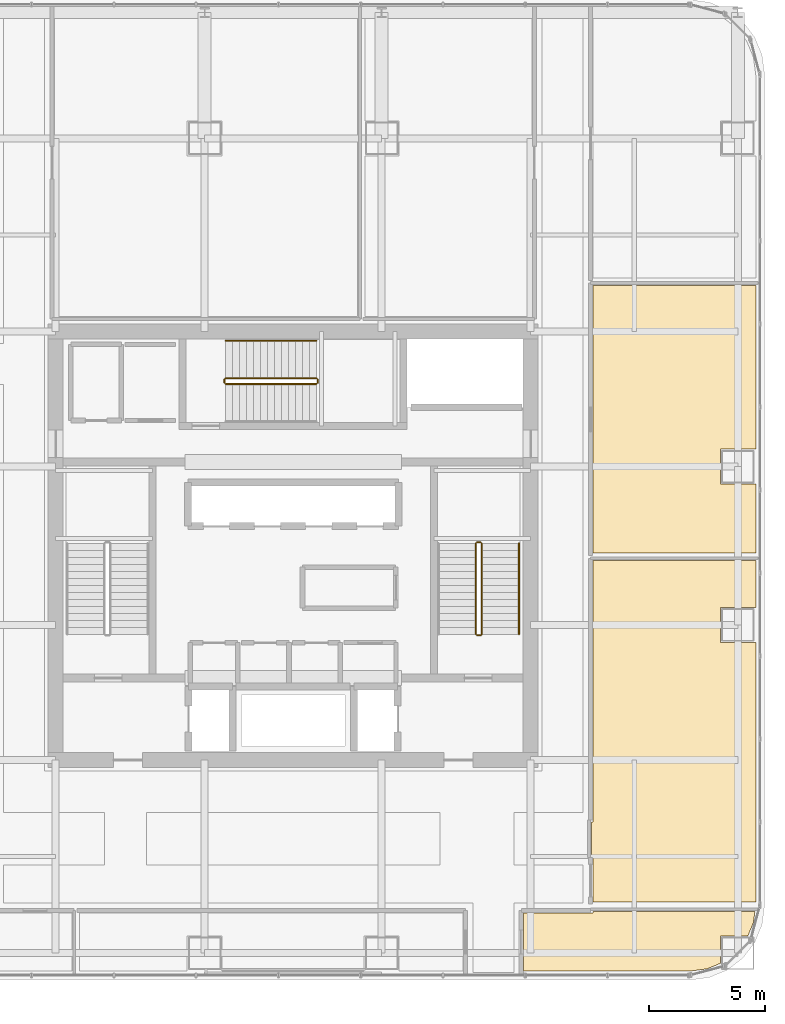
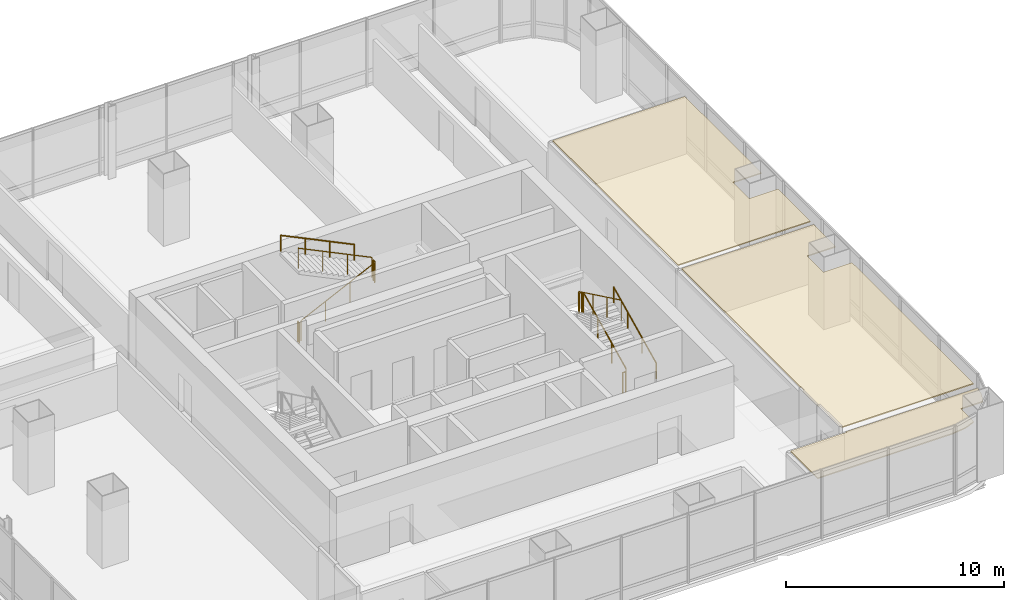
# One storey, part 37 of 38: 10 railings, 3 coverings.
"""IFC4 building model written with IfcOpenShell, lengths in metres."""

from ifc_helpers import new_model, si_unit, direction, frame, origin, origin_2d, place, context, subcontext, project, spatial, polyline, circle, outline, extrude, material, layer, layer_set, type_object, element, save


model = new_model("IFC4")

# Units and contexts
model_context = context("Model", 3, precision=1e-05, world=origin(), true_north=direction((0.0, 1.0)))
body_context = subcontext(model_context, "Body", "Model", "MODEL_VIEW")
ifc_project = project(units=[si_unit("LENGTHUNIT", "METRE"), si_unit("AREAUNIT", "SQUARE_METRE"), si_unit("VOLUMEUNIT", "CUBIC_METRE"), si_unit("PLANEANGLEUNIT", "RADIAN"), si_unit("MASSUNIT", "GRAM", prefix="KILO")], contexts=[model_context])

# Site, building, storey
site_placement = place(None, origin())
site = spatial("IfcSite", under=ifc_project, at=site_placement, CompositionType="ELEMENT")
building_placement = place(site_placement, origin())
building = spatial("IfcBuilding", under=site, at=building_placement, Name="Punatoya Terracotta Tower", CompositionType="ELEMENT")
storey_placement = place(building_placement, frame((0.0, 0.0, 160.050048828125)))
storey = spatial("IfcBuildingStorey", under=building, at=storey_placement, Name="L37", CompositionType="ELEMENT", Elevation=160.050048828125)

# Coverings
ifc_material_1 = material(Name="Acoustic Mineral Fibre Ceiling")
ifc_layer = layer(ifc_material_1, 0.06005859375)
ifc_layer_set = layer_set([ifc_layer], Name="Acoustic Mineral Fibre Ceiling")
covering_type = type_object("IfcCoveringType", Name="COV-CEIL-60", PredefinedType="CEILING", material=ifc_layer_set)
covering_1_placement = place(storey_placement, frame((0.0, 0.0, 3.219970703125)))
element("IfcCovering", 1, at=covering_1_placement, inside=storey, type_object=covering_type, Name="L37 Open-Plan Collaborative Workshop Room Acoustic Ceiling", PredefinedType="CEILING", context=body_context, shape_type="SweptSolid", body=[
    extrude(outline(polyline([(12.8701171875, -15.77001953125), (9.89990234375, -15.77001953125), (9.89990234375, -18.27001953125), (17.025146484375, -18.27001953125), (17.779052734375, -18.1708984375), (18.35009765625, -17.934326171875), (18.35009765625, -16.75), (19.5341796875, -16.75), (19.770751953125, -16.178955078125), (19.83251953125, -15.7099609375), (12.8701171875, -15.7099609375), (12.8701171875, -15.77001953125)])), origin(), (0.0, 0.0, 1.0), 0.06005859375),
])
covering_2_placement = place(storey_placement, frame((0.0, 0.0, 3.219970703125)))
element("IfcCovering", 2, at=covering_2_placement, inside=storey, type_object=covering_type, Name="L37 Open-Plan Executive Briefing Room Acoustic Ceiling", PredefinedType="CEILING", context=body_context, shape_type="SweptSolid", body=[
    extrude(outline(polyline([(12.81005859375, -13.280029296875), (12.8701171875, -13.280029296875), (12.8701171875, -15.2900390625), (19.8701171875, -15.2900390625), (19.8701171875, -4.14990234375), (18.35009765625, -4.14990234375), (18.35009765625, -2.64990234375), (19.8701171875, -2.64990234375), (19.8701171875, -0.637939453125), (12.8701171875, -0.637939453125), (12.8701171875, -11.8701171875), (12.81005859375, -11.8701171875), (12.81005859375, -13.280029296875)])), origin(), (0.0, 0.0, 1.0), 0.06005859375),
])
covering_3_placement = place(storey_placement, frame((0.0, 0.0, 3.219970703125)))
element("IfcCovering", 3, at=covering_3_placement, inside=storey, type_object=covering_type, Name="L37 Open-Plan Delegate Reception Lounge Acoustic Ceiling", PredefinedType="CEILING", context=body_context, shape_type="SweptSolid", body=[
    extrude(outline(polyline([(18.35009765625, 4.14990234375), (19.8701171875, 4.14990234375), (19.8701171875, 11.181884765625), (12.8701171875, 11.181884765625), (12.8701171875, -0.318115234375), (19.8701171875, -0.318115234375), (19.8701171875, 2.64990234375), (18.35009765625, 2.64990234375), (18.35009765625, 4.14990234375)])), origin(), (0.0, 0.0, 1.0), 0.06005859375),
])

# Railings
ifc_material_2 = material(Name="Steel S355", Category="steel")
railing_type_1 = type_object("IfcRailingType", Name="RLG-GRD-1150", PredefinedType="GUARDRAIL", material=ifc_material_2)
railing_1_placement = place(storey_placement, frame((8.10009765625, -3.800048828125, 0.14453125)))
element("IfcRailing", 4, at=railing_1_placement, inside=storey, type_object=railing_type_1, Name="L37 ST-2 stair guard 1", PredefinedType="GUARDRAIL", context=body_context, shape_type="SweptSolid", body=[
    extrude(circle(Radius=0.02392578125, at=origin_2d()), frame((0.0, 0.0, 1.1259765625), z_axis=(0.0, 0.900773802044, 0.434288564841), x_axis=(-1.0, 0.0, 0.0)), (0.0, 0.0, 1.0), 4.329833984375),
    extrude(circle(Radius=0.02099609375, at=origin_2d()), origin(), (0.0, 0.0, 1.0), 1.101806640625),
    extrude(circle(Radius=0.02099609375, at=origin_2d()), frame((0.0, 1.300048828125, 0.626708984375)), (0.0, 0.0, 1.0), 1.101806640625),
    extrude(circle(Radius=0.02099609375, at=origin_2d()), frame((0.0, 2.60009765625, 1.253662109375)), (0.0, 0.0, 1.0), 1.101806640625),
    extrude(circle(Radius=0.02099609375, at=origin_2d()), frame((0.0, 3.900146484375, 1.88037109375)), (0.0, 0.0, 1.0), 1.101806640625),
])
railing_2_placement = place(storey_placement, frame((8.050048828125, 0.14990234375, 2.02490234375)))
element("IfcRailing", 5, at=railing_2_placement, inside=storey, type_object=railing_type_1, Name="L37 ST-2 stair guard 2", PredefinedType="GUARDRAIL", context=body_context, shape_type="SweptSolid", body=[
    extrude(circle(Radius=0.02392578125, at=origin_2d()), frame((0.0, 0.0, 1.1259765625), z_axis=(-1.0, 0.0, 0.0), x_axis=(0.0, -1.0, 0.0)), (0.0, 0.0, 1.0), 0.150146484375),
    extrude(circle(Radius=0.02099609375, at=origin_2d()), origin(), (0.0, 0.0, 1.0), 1.101806640625),
    extrude(circle(Radius=0.02099609375, at=origin_2d()), frame((-0.150146484375, 0.0, 0.0)), (0.0, 0.0, 1.0), 1.101806640625),
])
railing_3_placement = place(storey_placement, frame((7.85009765625, 0.10009765625, 2.169677734375)))
element("IfcRailing", 6, at=railing_3_placement, inside=storey, type_object=railing_type_1, Name="L37 ST-2 stair guard 3", PredefinedType="GUARDRAIL", context=body_context, shape_type="SweptSolid", body=[
    extrude(circle(Radius=0.02392578125, at=origin_2d()), frame((0.0, 0.0, 1.1259765625), z_axis=(0.0, -0.900773802044, 0.434288564841), x_axis=(1.0, 0.0, 0.0)), (0.0, 0.0, 1.0), 4.329833984375),
    extrude(circle(Radius=0.02099609375, at=origin_2d()), origin(), (0.0, 0.0, 1.0), 1.101806640625),
    extrude(circle(Radius=0.02099609375, at=origin_2d()), frame((0.0, -1.300048828125, 0.626708984375)), (0.0, 0.0, 1.0), 1.101806640625),
    extrude(circle(Radius=0.02099609375, at=origin_2d()), frame((0.0, -2.60009765625, 1.253662109375)), (0.0, 0.0, 1.0), 1.101806640625),
    extrude(circle(Radius=0.02099609375, at=origin_2d()), frame((0.0, -3.900146484375, 1.88037109375)), (0.0, 0.0, 1.0), 1.101806640625),
])
railing_4_placement = place(storey_placement, frame((8.050048828125, -3.85009765625, 0.0)))
element("IfcRailing", 7, at=railing_4_placement, inside=storey, type_object=railing_type_1, Name="L37 ST-2 stair guard 4", PredefinedType="GUARDRAIL", context=body_context, shape_type="SweptSolid", body=[
    extrude(circle(Radius=0.02392578125, at=origin_2d()), frame((0.0, 0.0, 1.1259765625), z_axis=(-1.0, 0.0, 0.0), x_axis=(0.0, -1.0, 0.0)), (0.0, 0.0, 1.0), 0.150146484375),
    extrude(circle(Radius=0.02099609375, at=origin_2d()), origin(), (0.0, 0.0, 1.0), 1.101806640625),
    extrude(circle(Radius=0.02099609375, at=origin_2d()), frame((-0.150146484375, 0.0, 0.0)), (0.0, 0.0, 1.0), 1.101806640625),
])
railing_5_placement = place(storey_placement, frame((-2.89990234375, 6.949951171875, 0.14453125)))
element("IfcRailing", 8, at=railing_5_placement, inside=storey, type_object=railing_type_1, Name="L37 ST-3 stair guard 1", PredefinedType="GUARDRAIL", context=body_context, shape_type="SweptSolid", body=[
    extrude(circle(Radius=0.02392578125, at=origin_2d()), frame((0.0, 0.0, 1.1259765625), z_axis=(0.900763166376, 0.0, 0.434310623978), x_axis=(0.0, 1.0, 0.0)), (0.0, 0.0, 1.0), 4.32958984375),
    extrude(circle(Radius=0.02099609375, at=origin_2d()), origin(), (0.0, 0.0, 1.0), 1.101806640625),
    extrude(circle(Radius=0.02099609375, at=origin_2d()), frame((1.300048828125, 0.0, 0.626708984375)), (0.0, 0.0, 1.0), 1.101806640625),
    extrude(circle(Radius=0.02099609375, at=origin_2d()), frame((2.599853515625, 0.0, 1.253662109375)), (0.0, 0.0, 1.0), 1.101806640625),
    extrude(circle(Radius=0.02099609375, at=origin_2d()), frame((3.89990234375, 0.0, 1.88037109375)), (0.0, 0.0, 1.0), 1.101806640625),
])
railing_6_placement = place(storey_placement, frame((1.050048828125, 7.0, 2.02490234375)))
element("IfcRailing", 9, at=railing_6_placement, inside=storey, type_object=railing_type_1, Name="L37 ST-3 stair guard 2", PredefinedType="GUARDRAIL", context=body_context, shape_type="SweptSolid", body=[
    extrude(circle(Radius=0.02392578125, at=origin_2d()), frame((0.0, 0.0, 1.1259765625), z_axis=(0.0, 1.0, 0.0), x_axis=(-1.0, 0.0, 0.0)), (0.0, 0.0, 1.0), 0.14990234375),
    extrude(circle(Radius=0.02099609375, at=origin_2d()), origin(), (0.0, 0.0, 1.0), 1.101806640625),
    extrude(circle(Radius=0.02099609375, at=origin_2d()), frame((0.0, 0.14990234375, 0.0)), (0.0, 0.0, 1.0), 1.101806640625),
])
railing_7_placement = place(storey_placement, frame((1.0, 7.199951171875, 2.169677734375)))
element("IfcRailing", 10, at=railing_7_placement, inside=storey, type_object=railing_type_1, Name="L37 ST-3 stair guard 3", PredefinedType="GUARDRAIL", context=body_context, shape_type="SweptSolid", body=[
    extrude(circle(Radius=0.02392578125, at=origin_2d()), frame((0.0, 0.0, 1.1259765625), z_axis=(-0.900763166376, 0.0, 0.434310623978), x_axis=(0.0, -1.0, 0.0)), (0.0, 0.0, 1.0), 4.32958984375),
    extrude(circle(Radius=0.02099609375, at=origin_2d()), origin(), (0.0, 0.0, 1.0), 1.101806640625),
    extrude(circle(Radius=0.02099609375, at=origin_2d()), frame((-1.300048828125, 0.0, 0.626708984375)), (0.0, 0.0, 1.0), 1.101806640625),
    extrude(circle(Radius=0.02099609375, at=origin_2d()), frame((-2.599853515625, 0.0, 1.253662109375)), (0.0, 0.0, 1.0), 1.101806640625),
    extrude(circle(Radius=0.02099609375, at=origin_2d()), frame((-3.89990234375, 0.0, 1.88037109375)), (0.0, 0.0, 1.0), 1.101806640625),
])
railing_8_placement = place(storey_placement, frame((-2.949951171875, 7.0, 0.0)))
element("IfcRailing", 11, at=railing_8_placement, inside=storey, type_object=railing_type_1, Name="L37 ST-3 stair guard 4", PredefinedType="GUARDRAIL", context=body_context, shape_type="SweptSolid", body=[
    extrude(circle(Radius=0.02392578125, at=origin_2d()), frame((0.0, 0.0, 1.1259765625), z_axis=(0.0, 1.0, 0.0), x_axis=(-1.0, 0.0, 0.0)), (0.0, 0.0, 1.0), 0.14990234375),
    extrude(circle(Radius=0.02099609375, at=origin_2d()), origin(), (0.0, 0.0, 1.0), 1.101806640625),
    extrude(circle(Radius=0.02099609375, at=origin_2d()), frame((0.0, 0.14990234375, 0.0)), (0.0, 0.0, 1.0), 1.101806640625),
])
railing_type_2 = type_object("IfcRailingType", Name="RLG-HND-900", PredefinedType="HANDRAIL", material=ifc_material_2)
railing_9_placement = place(storey_placement, frame((9.699951171875, -3.800048828125, 0.14453125)))
element("IfcRailing", 12, at=railing_9_placement, inside=storey, type_object=railing_type_2, Name="L37 ST-2 stair handrail 1", PredefinedType="HANDRAIL", context=body_context, shape_type="SweptSolid", body=[
    extrude(circle(Radius=0.02392578125, at=origin_2d()), frame((0.0, 0.0, 0.8759765625), z_axis=(0.0, 0.900773802044, 0.434288564841), x_axis=(-1.0, 0.0, 0.0)), (0.0, 0.0, 1.0), 4.329833984375),
    extrude(circle(Radius=0.02099609375, at=origin_2d()), origin(), (0.0, 0.0, 1.0), 0.851806640625),
    extrude(circle(Radius=0.02099609375, at=origin_2d()), frame((0.0, 1.300048828125, 0.626708984375)), (0.0, 0.0, 1.0), 0.851806640625),
    extrude(circle(Radius=0.02099609375, at=origin_2d()), frame((0.0, 2.60009765625, 1.253662109375)), (0.0, 0.0, 1.0), 0.851806640625),
    extrude(circle(Radius=0.02099609375, at=origin_2d()), frame((0.0, 3.900146484375, 1.88037109375)), (0.0, 0.0, 1.0), 0.851806640625),
])
railing_10_placement = place(storey_placement, frame((1.0, 8.800048828125, 2.169677734375)))
element("IfcRailing", 13, at=railing_10_placement, inside=storey, type_object=railing_type_2, Name="L37 ST-3 stair handrail 2", PredefinedType="HANDRAIL", context=body_context, shape_type="SweptSolid", body=[
    extrude(circle(Radius=0.02392578125, at=origin_2d()), frame((0.0, 0.0, 0.8759765625), z_axis=(-0.900763166376, 0.0, 0.434310623978), x_axis=(0.0, -1.0, 0.0)), (0.0, 0.0, 1.0), 4.32958984375),
    extrude(circle(Radius=0.02099609375, at=origin_2d()), origin(), (0.0, 0.0, 1.0), 0.851806640625),
    extrude(circle(Radius=0.02099609375, at=origin_2d()), frame((-1.300048828125, 0.0, 0.626708984375)), (0.0, 0.0, 1.0), 0.851806640625),
    extrude(circle(Radius=0.02099609375, at=origin_2d()), frame((-2.599853515625, 0.0, 1.253662109375)), (0.0, 0.0, 1.0), 0.851806640625),
    extrude(circle(Radius=0.02099609375, at=origin_2d()), frame((-3.89990234375, 0.0, 1.88037109375)), (0.0, 0.0, 1.0), 0.851806640625),
])

save(model, "model.ifc")
